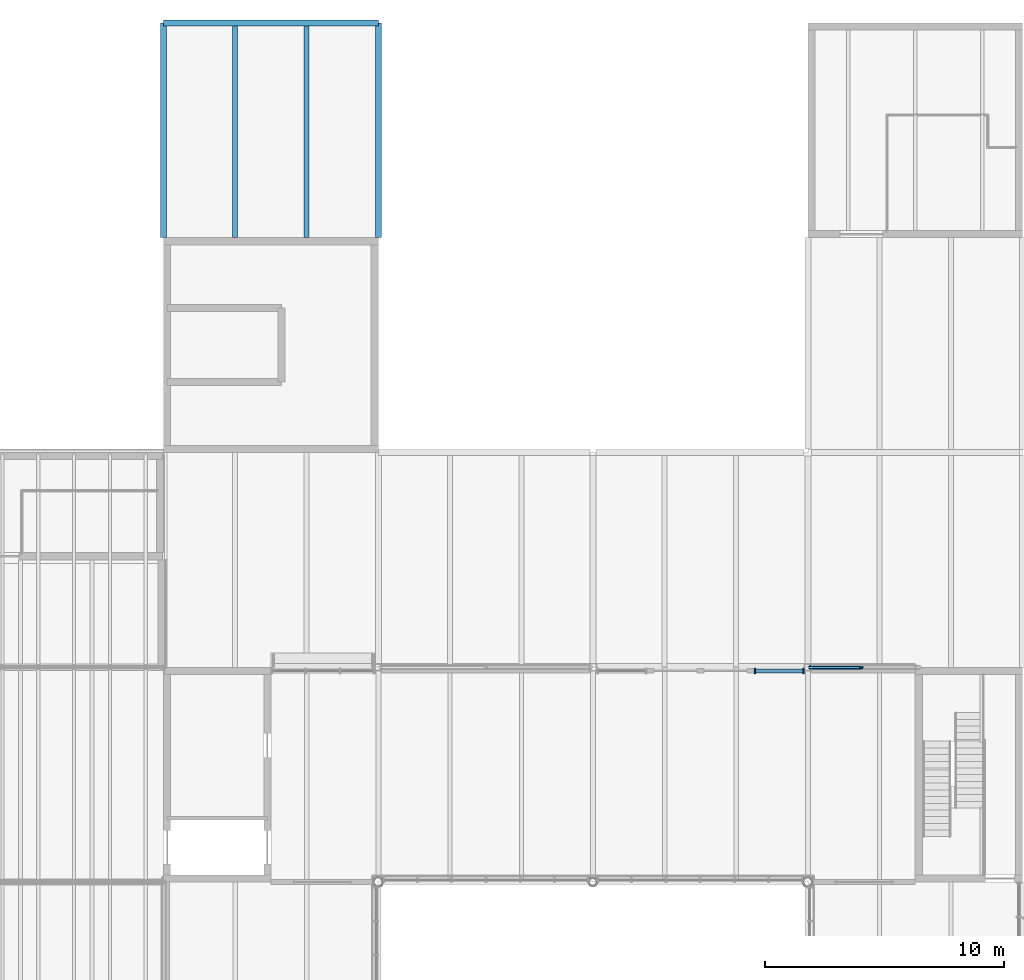
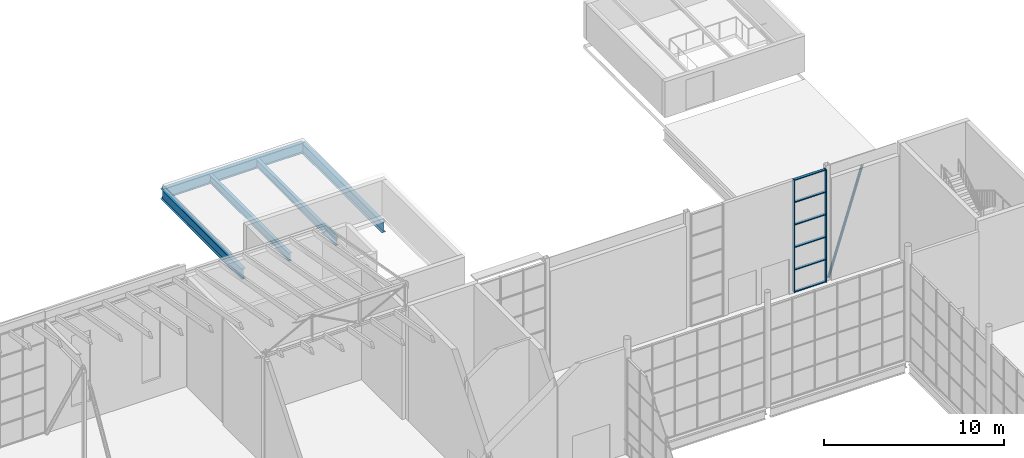
# One storey, part 62 of 90: 9 members, 5 beams, 1 element without a shape of its own.
"""IFC4 building model written with IfcOpenShell, lengths in metres."""

from ifc_helpers import new_model, si_unit, direction, frame, origin, origin_2d, place, context, subcontext, project, spatial, rectangle, hollow_circle, i_section, extrude, material, layer, layer_set, material_profile, profile_set, type_object, element, aggregate, save


model = new_model("IFC4")

# Units and contexts
model_context = context("Model", 3, precision=1e-05, world=origin(), true_north=direction((0.0, 1.0)))
body_context = subcontext(model_context, "Body", "Model", "MODEL_VIEW")
ifc_project = project(units=[si_unit("LENGTHUNIT", "METRE"), si_unit("AREAUNIT", "SQUARE_METRE"), si_unit("VOLUMEUNIT", "CUBIC_METRE"), si_unit("PLANEANGLEUNIT", "RADIAN"), si_unit("MASSUNIT", "GRAM", prefix="KILO")], contexts=[model_context])

# Site, building, storey
site_placement = place(None, origin())
site = spatial("IfcSite", under=ifc_project, at=site_placement, CompositionType="ELEMENT")
building_placement = place(site_placement, origin())
building = spatial("IfcBuilding", under=site, at=building_placement, Name="Halyard Row Museum", CompositionType="ELEMENT")
storey_placement = place(building_placement, frame((0.0, 0.0, 13.39990234375)))
storey = spatial("IfcBuildingStorey", under=building, at=storey_placement, Name="L03", CompositionType="ELEMENT", Elevation=13.39990234375)

# Member
ifc_material_1 = material(Name="Steel Grade C350L0", Category="steel")
ifc_material_profile_1 = material_profile(ifc_material_1, hollow_circle(Radius=0.084228515625, WallThickness=0.007080078125, at=origin_2d()), Name="168.3x7.1CHS")
ifc_profile_set_1 = profile_set([ifc_material_profile_1], Name="Steel Grade C350L0")
member_type_1 = type_object("IfcMemberType", Name="Brace 168.3x7.1CHS", PredefinedType="BRACE", material=ifc_profile_set_1)
member_1_placement = place(storey_placement, frame((99.10009765625, 36.0, 0.084228515625), z_axis=(0.300227282794, 0.0, 0.953867694529), x_axis=(0.0, 1.0, 0.0)))
element("IfcMember", 1, at=member_1_placement, inside=storey, type_object=member_type_1, Name="Brace L03 Y36 99-103.5 A", PredefinedType="BRACE", context=body_context, shape_type="SweptSolid", body=[
    extrude(hollow_circle(Radius=0.084228515625, WallThickness=0.007080078125, at=origin_2d()), origin(), (0.0, 0.0, 1.0), 7.160888671875),
])

# Curtain wall, members
ifc_material_2 = material(Name="Double glazed unit, low-emissivity", Category="glass")
ifc_layer = layer(ifc_material_2, 0.219970703125)
ifc_layer_set = layer_set([ifc_layer], Name="Double glazed unit, low-emissivity")
curtain_wall_type = type_object("IfcCurtainWallType", Name="Curtain wall unitised 220 deep", PredefinedType="NOTDEFINED", material=ifc_layer_set)
curtain_wall_placement = place(storey_placement, origin())
curtain_wall = element("IfcCurtainWall", 2, at=curtain_wall_placement, inside=storey, type_object=curtain_wall_type, Name="Curtain wall CW050", PredefinedType="NOTDEFINED")
ifc_material_3 = material(Name="Powder-coated aluminium section", Category="aluminium")
ifc_material_profile_2 = material_profile(ifc_material_3, rectangle(XDim=0.219970703125, YDim=0.06005859375, at=origin_2d()), Name="220x60 mullion")
ifc_profile_set_2 = profile_set([ifc_material_profile_2], Name="Powder-coated aluminium section")
member_type_2 = type_object("IfcMemberType", Name="Curtain wall mullion CM3 60 x 220", PredefinedType="MULLION", material=ifc_profile_set_2)
member_2_placement = place(storey_placement, frame((98.820068359375, 35.840087890625, 0.0), z_axis=(0.0, 0.0, 1.0), x_axis=(0.0, -1.0, 0.0)))
member_2 = element("IfcMember", 3, at=member_2_placement, type_object=member_type_2, Name="CW050 mullion 1", PredefinedType="MULLION", context=body_context, shape_type="SweptSolid", body=[
    extrude(rectangle(XDim=0.219970703125, YDim=0.06005859375, at=origin_2d()), origin(), (0.0, 0.0, 1.0), 7.635009765625),
])
member_3_placement = place(storey_placement, frame((96.780029296875, 35.840087890625, 0.0), z_axis=(0.0, 0.0, 1.0), x_axis=(0.0, -1.0, 0.0)))
member_3 = element("IfcMember", 4, at=member_3_placement, type_object=member_type_2, Name="CW050 mullion 2", PredefinedType="MULLION", context=body_context, shape_type="SweptSolid", body=[
    extrude(rectangle(XDim=0.219970703125, YDim=0.06005859375, at=origin_2d()), origin(), (0.0, 0.0, 1.0), 7.635009765625),
])
ifc_material_4 = material(Name="Powder-coated aluminium section", Category="aluminium")
ifc_material_profile_3 = material_profile(ifc_material_4, rectangle(XDim=0.159912109375, YDim=0.06005859375, at=origin_2d()), Name="160x60 transom")
ifc_profile_set_3 = profile_set([ifc_material_profile_3], Name="Powder-coated aluminium section")
member_type_3 = type_object("IfcMemberType", Name="Curtain wall transom CT3 60 x 160", PredefinedType="USERDEFINED", material=ifc_profile_set_3)
member_4_placement = place(storey_placement, frame((98.7900390625, 35.840087890625, 0.030029296875), z_axis=(-1.0, 0.0, 0.0), x_axis=(0.0, -1.0, 0.0)))
member_4 = element("IfcMember", 5, at=member_4_placement, type_object=member_type_3, Name="CW050 transom 1.1", ObjectType="TRANSOM", PredefinedType="USERDEFINED", context=body_context, shape_type="SweptSolid", body=[
    extrude(rectangle(XDim=0.159912109375, YDim=0.06005859375, at=origin_2d()), origin(), (0.0, 0.0, 1.0), 1.97998046875),
])
member_5_placement = place(storey_placement, frame((98.7900390625, 35.840087890625, 1.527099609375), z_axis=(-1.0, 0.0, 0.0), x_axis=(0.0, -1.0, 0.0)))
member_5 = element("IfcMember", 6, at=member_5_placement, type_object=member_type_3, Name="CW050 transom 1.2", ObjectType="TRANSOM", PredefinedType="USERDEFINED", context=body_context, shape_type="SweptSolid", body=[
    extrude(rectangle(XDim=0.159912109375, YDim=0.06005859375, at=origin_2d()), origin(), (0.0, 0.0, 1.0), 1.97998046875),
])
member_6_placement = place(storey_placement, frame((98.7900390625, 35.840087890625, 3.05419921875), z_axis=(-1.0, 0.0, 0.0), x_axis=(0.0, -1.0, 0.0)))
member_6 = element("IfcMember", 7, at=member_6_placement, type_object=member_type_3, Name="CW050 transom 1.3", ObjectType="TRANSOM", PredefinedType="USERDEFINED", context=body_context, shape_type="SweptSolid", body=[
    extrude(rectangle(XDim=0.159912109375, YDim=0.06005859375, at=origin_2d()), origin(), (0.0, 0.0, 1.0), 1.97998046875),
])
member_7_placement = place(storey_placement, frame((98.7900390625, 35.840087890625, 4.5810546875), z_axis=(-1.0, 0.0, 0.0), x_axis=(0.0, -1.0, 0.0)))
member_7 = element("IfcMember", 8, at=member_7_placement, type_object=member_type_3, Name="CW050 transom 1.4", ObjectType="TRANSOM", PredefinedType="USERDEFINED", context=body_context, shape_type="SweptSolid", body=[
    extrude(rectangle(XDim=0.159912109375, YDim=0.06005859375, at=origin_2d()), origin(), (0.0, 0.0, 1.0), 1.97998046875),
])
member_8_placement = place(storey_placement, frame((98.7900390625, 35.840087890625, 6.108154296875), z_axis=(-1.0, 0.0, 0.0), x_axis=(0.0, -1.0, 0.0)))
member_8 = element("IfcMember", 9, at=member_8_placement, type_object=member_type_3, Name="CW050 transom 1.5", ObjectType="TRANSOM", PredefinedType="USERDEFINED", context=body_context, shape_type="SweptSolid", body=[
    extrude(rectangle(XDim=0.159912109375, YDim=0.06005859375, at=origin_2d()), origin(), (0.0, 0.0, 1.0), 1.97998046875),
])
member_9_placement = place(storey_placement, frame((98.7900390625, 35.840087890625, 7.60498046875), z_axis=(-1.0, 0.0, 0.0), x_axis=(0.0, -1.0, 0.0)))
member_9 = element("IfcMember", 10, at=member_9_placement, type_object=member_type_3, Name="CW050 transom 1.6", ObjectType="TRANSOM", PredefinedType="USERDEFINED", context=body_context, shape_type="SweptSolid", body=[
    extrude(rectangle(XDim=0.159912109375, YDim=0.06005859375, at=origin_2d()), origin(), (0.0, 0.0, 1.0), 1.97998046875),
])
aggregate(curtain_wall, [member_2, member_3, member_4, member_5, member_6, member_7, member_8, member_9])

# Beams
ifc_material_5 = material(Name="Steel Grade 300", Category="steel")
ifc_material_profile_4 = material_profile(ifc_material_5, i_section(OverallWidth=0.25, OverallDepth=0.699951171875, WebThickness=0.010009765625, FlangeThickness=0.02001953125, at=origin_2d()), Name="700WB130")
ifc_profile_set_4 = profile_set([ifc_material_profile_4], Name="Steel Grade 300")
beam_type_1 = type_object("IfcBeamType", Name="Edge beam 700WB130 (lowered 585)", PredefinedType="BEAM", material=ifc_profile_set_4)
for number, where, z_axis, x_axis, name in (
    (11, (72.0, 63.0, -1.099853515625), (1.0, 0.0, 0.0), (0.0, 1.0, 0.0), "Beam L03-042"),
    (12, (72.0, 54.0, -1.099853515625), (0.0, 1.0, 0.0), (-1.0, 0.0, 0.0), "Beam L03-055"),
    (13, (81.0, 54.0, -1.099853515625), (0.0, 1.0, 0.0), (-1.0, 0.0, 0.0), "Beam L03-061"),
):
    element("IfcBeam", number, at=place(storey_placement, frame(where, z_axis=z_axis, x_axis=x_axis)), inside=storey, type_object=beam_type_1, Name=name, PredefinedType="BEAM", context=body_context, shape_type="SweptSolid", body=[
        extrude(i_section(OverallWidth=0.25, OverallDepth=0.699951171875, WebThickness=0.010009765625, FlangeThickness=0.02001953125, at=origin_2d()), origin(), (0.0, 0.0, 1.0), 9.0),
    ])
ifc_material_6 = material(Name="Steel Grade 300", Category="steel")
ifc_material_profile_5 = material_profile(ifc_material_6, i_section(OverallWidth=0.208984375, OverallDepth=0.5283203125, WebThickness=0.009521484375, FlangeThickness=0.01318359375, FilletRadius=0.013916015625, at=origin_2d()), Name="530UB82.0")
ifc_profile_set_5 = profile_set([ifc_material_profile_5], Name="Steel Grade 300")
beam_type_2 = type_object("IfcBeamType", Name="Secondary beam 530UB82.0 (lowered 585)", PredefinedType="BEAM", material=ifc_profile_set_5)
for number, where, z_axis, x_axis, name in (
    (14, (75.0, 54.0, -1.013916015625), (0.0, 1.0, 0.0), (-1.0, 0.0, 0.0), "Beam L03-135"),
    (15, (78.0, 54.0, -1.013916015625), (0.0, 1.0, 0.0), (-1.0, 0.0, 0.0), "Beam L03-136"),
):
    element("IfcBeam", number, at=place(storey_placement, frame(where, z_axis=z_axis, x_axis=x_axis)), inside=storey, type_object=beam_type_2, Name=name, PredefinedType="BEAM", context=body_context, shape_type="SweptSolid", body=[
        extrude(i_section(OverallWidth=0.208984375, OverallDepth=0.5283203125, WebThickness=0.009521484375, FlangeThickness=0.01318359375, FilletRadius=0.013916015625, at=origin_2d()), origin(), (0.0, 0.0, 1.0), 8.875),
    ])

save(model, "model.ifc")
